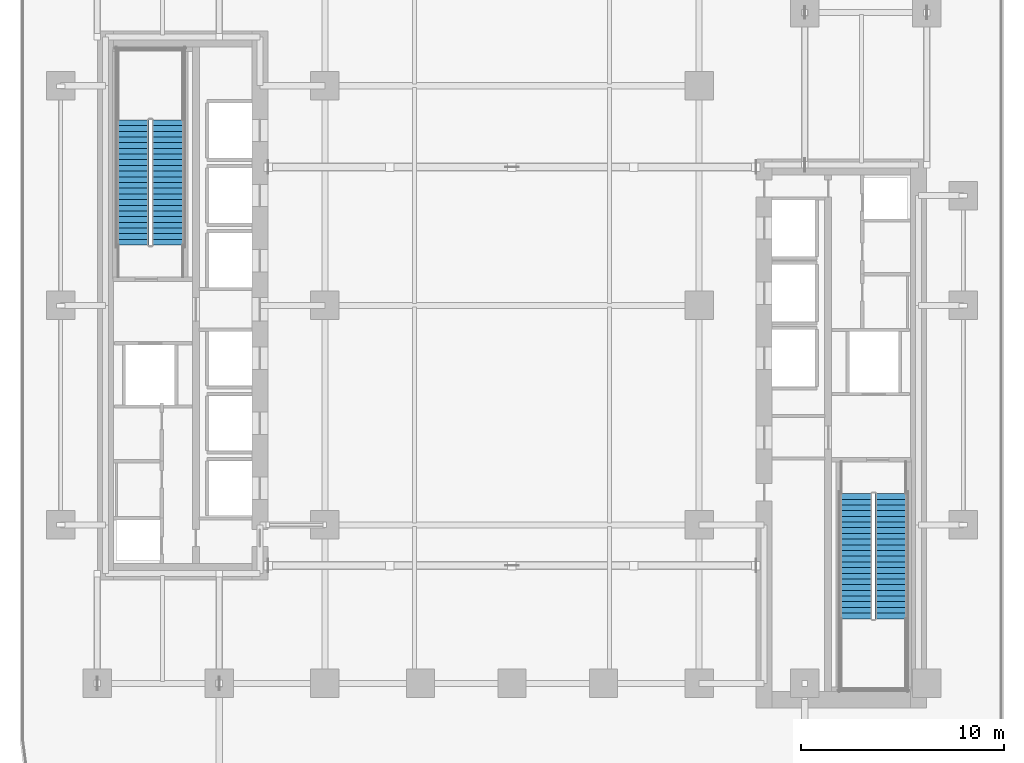
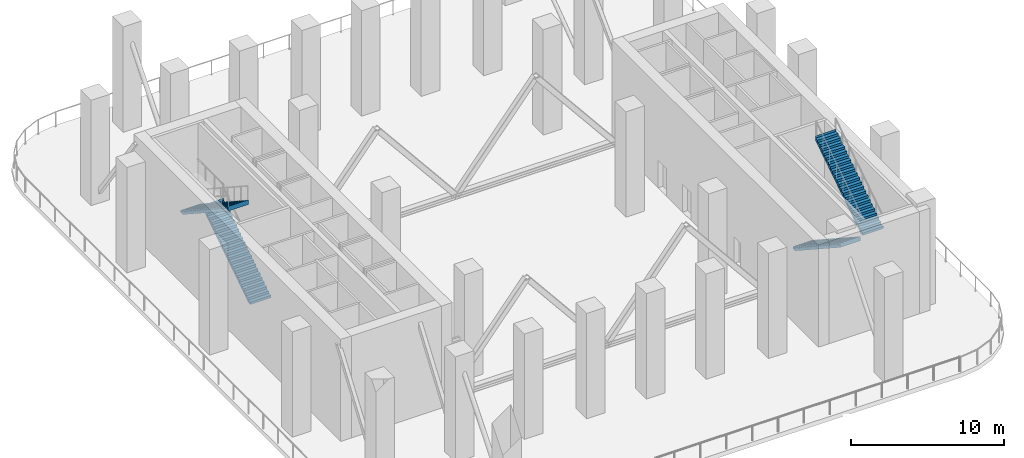
# One storey, part 7 of 13: 4 stair flights, 2 elements without a shape of their own.
"""IFC4 building model written with IfcOpenShell, lengths in metres."""

from ifc_helpers import new_model, si_unit, direction, frame, origin, place, context, subcontext, project, spatial, polyline, outline, extrude, material, layer, layer_set, type_object, element, aggregate, save


model = new_model("IFC4")

# Units and contexts
model_context = context("Model", 3, precision=1e-05, world=origin(), true_north=direction((0.0, 1.0)))
body_context = subcontext(model_context, "Body", "Model", "MODEL_VIEW")
ifc_project = project(units=[si_unit("LENGTHUNIT", "METRE"), si_unit("AREAUNIT", "SQUARE_METRE"), si_unit("VOLUMEUNIT", "CUBIC_METRE"), si_unit("PLANEANGLEUNIT", "RADIAN"), si_unit("MASSUNIT", "GRAM", prefix="KILO")], contexts=[model_context])

# Site, building, storey
site_placement = place(None, origin())
site = spatial("IfcSite", under=ifc_project, at=site_placement, CompositionType="ELEMENT")
building_placement = place(site_placement, origin())
building = spatial("IfcBuilding", under=site, at=building_placement, Name="Khairoan Windgate Tower", CompositionType="ELEMENT")
storey_placement = place(building_placement, frame((0.0, 0.0, 84.800048828125)))
storey = spatial("IfcBuildingStorey", under=building, at=storey_placement, Name="L20", CompositionType="ELEMENT", Elevation=84.800048828125)

# Stair, stair flights
ifc_material_1 = material(Name="Concrete C40/50", Category="concrete")
stair_type = type_object("IfcStairType", Name="Tower Core Dog-Leg Stair ST-T1 1560mm", PredefinedType="HALF_TURN_STAIR", material=ifc_material_1)
stair_1_placement = place(storey_placement, origin())
stair_1 = element("IfcStair", 1, at=stair_1_placement, inside=storey, type_object=stair_type, Name="L20 Stair ST1", PredefinedType="HALF_TURN_STAIR")
ifc_material_2 = material(Name="Concrete C40/50", Category="concrete")
ifc_layer = layer(ifc_material_2, 0.14990234375, Name="Concrete C40/50")
ifc_layer_set = layer_set([ifc_layer], Name="Concrete C40/50")
stair_flight_type = type_object("IfcStairFlightType", Name="Tower Core Stair Flight STF-1560", PredefinedType="STRAIGHT", material=ifc_layer_set)
stair_flight_1_placement = place(storey_placement, frame((16.929931640625, -9.260009765625, 0.0), z_axis=(0.0, 0.0, 1.0), x_axis=(0.0, -1.0, 0.0)))
stair_flight_1 = element("IfcStairFlight", 2, at=stair_flight_1_placement, type_object=stair_flight_type, Name="ST1 flight 1", NumberOfRisers=23, NumberOfTreads=22, PredefinedType="STRAIGHT", RiserHeight=0.182608696, TreadLength=0.28, context=body_context, shape_type="SweptSolid", body=[
    extrude(outline(polyline([(-0.00390625, 0.0), (-0.00390625, 0.1826171875), (0.0, 0.1826171875), (0.280029296875, 0.1826171875), (0.280029296875, 0.365234375), (0.56005859375, 0.365234375), (0.56005859375, 0.5478515625), (0.840087890625, 0.5478515625), (0.840087890625, 0.73046875), (1.1201171875, 0.73046875), (1.1201171875, 0.9130859375), (1.39990234375, 0.9130859375), (1.39990234375, 1.095703125), (1.679931640625, 1.095703125), (1.679931640625, 1.2783203125), (1.9599609375, 1.2783203125), (1.9599609375, 1.4609375), (2.239990234375, 1.4609375), (2.239990234375, 1.6435546875), (2.52001953125, 1.6435546875), (2.52001953125, 1.826171875), (2.800048828125, 1.826171875), (2.800048828125, 2.0087890625), (3.080078125, 2.0087890625), (3.080078125, 2.19140625), (3.360107421875, 2.19140625), (3.360107421875, 2.3740234375), (3.639892578125, 2.3740234375), (3.639892578125, 2.556640625), (3.919921875, 2.556640625), (3.919921875, 2.739013671875), (4.199951171875, 2.739013671875), (4.199951171875, 2.921630859375), (4.47998046875, 2.921630859375), (4.47998046875, 3.104248046875), (4.760009765625, 3.104248046875), (4.760009765625, 3.286865234375), (5.0400390625, 3.286865234375), (5.0400390625, 3.469482421875), (5.320068359375, 3.469482421875), (5.320068359375, 3.652099609375), (5.60009765625, 3.652099609375), (5.60009765625, 3.834716796875), (5.8798828125, 3.834716796875), (5.8798828125, 4.017333984375), (6.159912109375, 4.017333984375), (6.159912109375, 4.199951171875), (6.1640625, 4.199951171875), (6.1640625, 3.83837890625), (0.2744140625, 0.0), (-0.00390625, 0.0)])), frame((0.0, 0.780029296875, 0.0), z_axis=(0.0, -1.0, 0.0), x_axis=(1.0, 0.0, 0.0)), (0.0, 0.0, 1.0), 1.56005859375),
])
stair_flight_2_placement = place(storey_placement, frame((18.639892578125, -15.419921875, 4.199951171875), z_axis=(0.0, 0.0, 1.0), x_axis=(0.0, 1.0, 0.0)))
stair_flight_2 = element("IfcStairFlight", 3, at=stair_flight_2_placement, type_object=stair_flight_type, Name="ST1 flight 2", NumberOfRisers=23, NumberOfTreads=22, PredefinedType="STRAIGHT", RiserHeight=0.182608696, TreadLength=0.28, context=body_context, shape_type="SweptSolid", body=[
    extrude(outline(polyline([(-0.00390625, 0.0), (-0.00390625, 0.1826171875), (0.0, 0.1826171875), (0.280029296875, 0.1826171875), (0.280029296875, 0.365234375), (0.56005859375, 0.365234375), (0.56005859375, 0.5478515625), (0.840087890625, 0.5478515625), (0.840087890625, 0.73046875), (1.1201171875, 0.73046875), (1.1201171875, 0.9130859375), (1.39990234375, 0.9130859375), (1.39990234375, 1.095703125), (1.679931640625, 1.095703125), (1.679931640625, 1.2783203125), (1.9599609375, 1.2783203125), (1.9599609375, 1.4609375), (2.239990234375, 1.4609375), (2.239990234375, 1.6435546875), (2.52001953125, 1.6435546875), (2.52001953125, 1.826171875), (2.800048828125, 1.826171875), (2.800048828125, 2.0087890625), (3.080078125, 2.0087890625), (3.080078125, 2.19140625), (3.360107421875, 2.19140625), (3.360107421875, 2.3740234375), (3.639892578125, 2.3740234375), (3.639892578125, 2.556640625), (3.919921875, 2.556640625), (3.919921875, 2.739013671875), (4.199951171875, 2.739013671875), (4.199951171875, 2.921630859375), (4.47998046875, 2.921630859375), (4.47998046875, 3.104248046875), (4.760009765625, 3.104248046875), (4.760009765625, 3.286865234375), (5.0400390625, 3.286865234375), (5.0400390625, 3.469482421875), (5.320068359375, 3.469482421875), (5.320068359375, 3.652099609375), (5.60009765625, 3.652099609375), (5.60009765625, 3.834716796875), (5.8798828125, 3.834716796875), (5.8798828125, 4.017333984375), (6.159912109375, 4.017333984375), (6.159912109375, 4.199951171875), (6.1640625, 4.199951171875), (6.1640625, 3.83837890625), (0.2744140625, 0.0), (-0.00390625, 0.0)])), frame((0.0, 0.780029296875, 0.0), z_axis=(0.0, -1.0, 0.0), x_axis=(1.0, 0.0, 0.0)), (0.0, 0.0, 1.0), 1.56005859375),
])
aggregate(stair_1, [stair_flight_1, stair_flight_2])

stair_2_placement = place(storey_placement, origin())
stair_2 = element("IfcStair", 4, at=stair_2_placement, inside=storey, type_object=stair_type, Name="L20 Stair ST2", PredefinedType="HALF_TURN_STAIR")
stair_flight_3_placement = place(storey_placement, frame((-16.929931640625, 2.9599609375, 0.0), z_axis=(0.0, 0.0, 1.0), x_axis=(0.0, 1.0, 0.0)))
stair_flight_3 = element("IfcStairFlight", 5, at=stair_flight_3_placement, type_object=stair_flight_type, Name="ST2 flight 1", NumberOfRisers=23, NumberOfTreads=22, PredefinedType="STRAIGHT", RiserHeight=0.182608696, TreadLength=0.28, context=body_context, shape_type="SweptSolid", body=[
    extrude(outline(polyline([(-0.00390625, 0.0), (-0.00390625, 0.1826171875), (0.0, 0.1826171875), (0.280029296875, 0.1826171875), (0.280029296875, 0.365234375), (0.56005859375, 0.365234375), (0.56005859375, 0.5478515625), (0.840087890625, 0.5478515625), (0.840087890625, 0.73046875), (1.1201171875, 0.73046875), (1.1201171875, 0.9130859375), (1.39990234375, 0.9130859375), (1.39990234375, 1.095703125), (1.679931640625, 1.095703125), (1.679931640625, 1.2783203125), (1.9599609375, 1.2783203125), (1.9599609375, 1.4609375), (2.239990234375, 1.4609375), (2.239990234375, 1.6435546875), (2.52001953125, 1.6435546875), (2.52001953125, 1.826171875), (2.800048828125, 1.826171875), (2.800048828125, 2.0087890625), (3.080078125, 2.0087890625), (3.080078125, 2.19140625), (3.360107421875, 2.19140625), (3.360107421875, 2.3740234375), (3.639892578125, 2.3740234375), (3.639892578125, 2.556640625), (3.919921875, 2.556640625), (3.919921875, 2.739013671875), (4.199951171875, 2.739013671875), (4.199951171875, 2.921630859375), (4.47998046875, 2.921630859375), (4.47998046875, 3.104248046875), (4.760009765625, 3.104248046875), (4.760009765625, 3.286865234375), (5.0400390625, 3.286865234375), (5.0400390625, 3.469482421875), (5.320068359375, 3.469482421875), (5.320068359375, 3.652099609375), (5.60009765625, 3.652099609375), (5.60009765625, 3.834716796875), (5.8798828125, 3.834716796875), (5.8798828125, 4.017333984375), (6.159912109375, 4.017333984375), (6.159912109375, 4.199951171875), (6.1640625, 4.199951171875), (6.1640625, 3.83837890625), (0.2744140625, 0.0), (-0.00390625, 0.0)])), frame((0.0, 0.780029296875, 0.0), z_axis=(0.0, -1.0, 0.0), x_axis=(1.0, 0.0, 0.0)), (0.0, 0.0, 1.0), 1.56005859375),
])
stair_flight_4_placement = place(storey_placement, frame((-18.639892578125, 9.1201171875, 4.199951171875), z_axis=(0.0, 0.0, 1.0), x_axis=(0.0, -1.0, 0.0)))
stair_flight_4 = element("IfcStairFlight", 6, at=stair_flight_4_placement, type_object=stair_flight_type, Name="ST2 flight 2", NumberOfRisers=23, NumberOfTreads=22, PredefinedType="STRAIGHT", RiserHeight=0.182608696, TreadLength=0.28, context=body_context, shape_type="SweptSolid", body=[
    extrude(outline(polyline([(-0.00390625, 0.0), (-0.00390625, 0.1826171875), (0.0, 0.1826171875), (0.280029296875, 0.1826171875), (0.280029296875, 0.365234375), (0.56005859375, 0.365234375), (0.56005859375, 0.5478515625), (0.840087890625, 0.5478515625), (0.840087890625, 0.73046875), (1.1201171875, 0.73046875), (1.1201171875, 0.9130859375), (1.39990234375, 0.9130859375), (1.39990234375, 1.095703125), (1.679931640625, 1.095703125), (1.679931640625, 1.2783203125), (1.9599609375, 1.2783203125), (1.9599609375, 1.4609375), (2.239990234375, 1.4609375), (2.239990234375, 1.6435546875), (2.52001953125, 1.6435546875), (2.52001953125, 1.826171875), (2.800048828125, 1.826171875), (2.800048828125, 2.0087890625), (3.080078125, 2.0087890625), (3.080078125, 2.19140625), (3.360107421875, 2.19140625), (3.360107421875, 2.3740234375), (3.639892578125, 2.3740234375), (3.639892578125, 2.556640625), (3.919921875, 2.556640625), (3.919921875, 2.739013671875), (4.199951171875, 2.739013671875), (4.199951171875, 2.921630859375), (4.47998046875, 2.921630859375), (4.47998046875, 3.104248046875), (4.760009765625, 3.104248046875), (4.760009765625, 3.286865234375), (5.0400390625, 3.286865234375), (5.0400390625, 3.469482421875), (5.320068359375, 3.469482421875), (5.320068359375, 3.652099609375), (5.60009765625, 3.652099609375), (5.60009765625, 3.834716796875), (5.8798828125, 3.834716796875), (5.8798828125, 4.017333984375), (6.159912109375, 4.017333984375), (6.159912109375, 4.199951171875), (6.1640625, 4.199951171875), (6.1640625, 3.83837890625), (0.2744140625, 0.0), (-0.00390625, 0.0)])), frame((0.0, 0.780029296875, 0.0), z_axis=(0.0, -1.0, 0.0), x_axis=(1.0, 0.0, 0.0)), (0.0, 0.0, 1.0), 1.56005859375),
])
aggregate(stair_2, [stair_flight_3, stair_flight_4])

save(model, "model.ifc")
